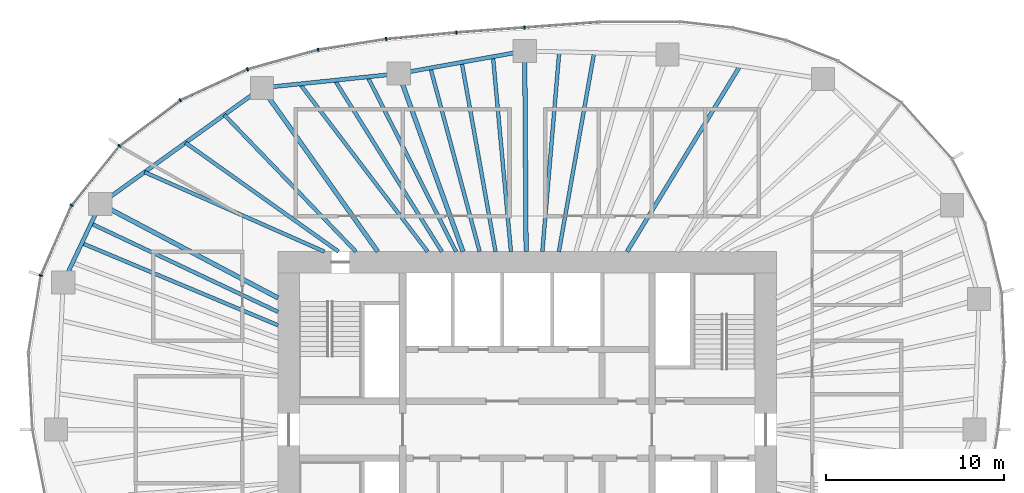
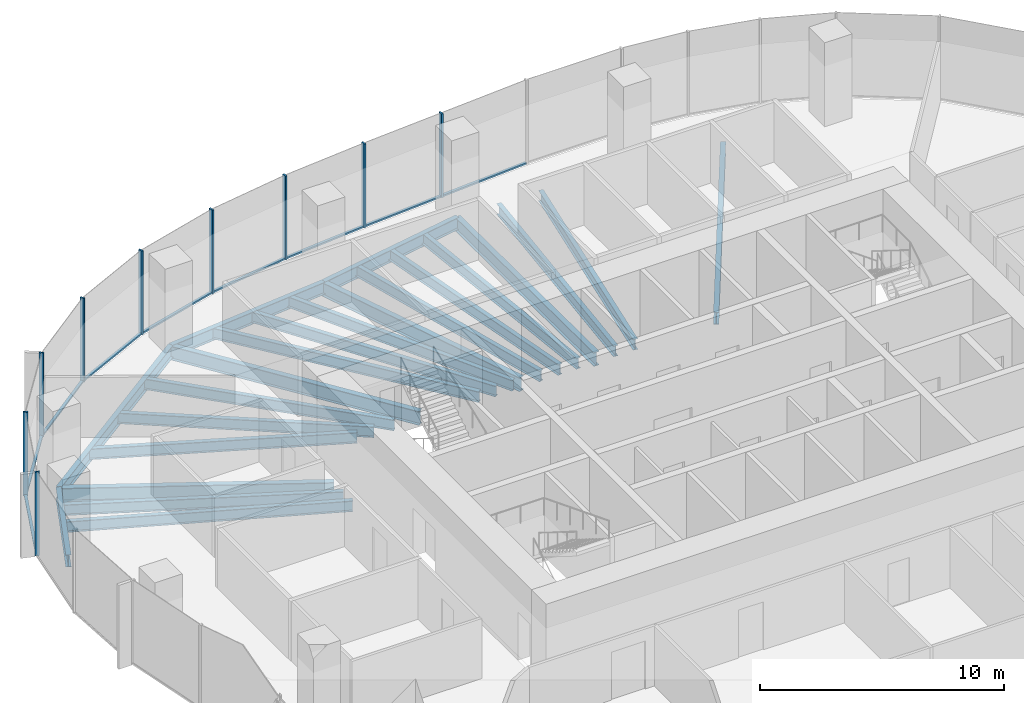
# One storey, part 5 of 11: 22 beams, 18 members, 6 elements without a shape of their own.
"""IFC4 building model written with IfcOpenShell, lengths in metres."""

from ifc_helpers import new_model, si_unit, direction, frame, origin, origin_2d, place, context, subcontext, project, spatial, rectangle, i_section, extrude, material, material_profile, profile_set, type_object, element, aggregate, save


model = new_model("IFC4")

# Units and contexts
model_context = context("Model", 3, precision=1e-05, world=origin(), true_north=direction((0.0, 1.0)))
body_context = subcontext(model_context, "Body", "Model", "MODEL_VIEW")
ifc_project = project(units=[si_unit("LENGTHUNIT", "METRE"), si_unit("AREAUNIT", "SQUARE_METRE"), si_unit("VOLUMEUNIT", "CUBIC_METRE"), si_unit("PLANEANGLEUNIT", "RADIAN"), si_unit("MASSUNIT", "GRAM", prefix="KILO")], contexts=[model_context])

# Site, building, storey
site_placement = place(None, origin())
site = spatial("IfcSite", under=ifc_project, at=site_placement, CompositionType="ELEMENT")
building_placement = place(site_placement, origin())
building = spatial("IfcBuilding", under=site, at=building_placement, Name="Ghaith Harvest Tower", CompositionType="ELEMENT")
storey_placement = place(building_placement, frame((0.0, 0.0, 211.60009765625)))
storey = spatial("IfcBuildingStorey", under=building, at=storey_placement, Name="L46", CompositionType="ELEMENT", Elevation=211.60009765625)

# Curtain wall, members
ifc_material_1 = material(Name="Black anodised aluminium and fritted glass", Category="aluminium")
curtain_wall_type = type_object("IfcCurtainWallType", Name="CW-H CURTAIN WALL", PredefinedType="NOTDEFINED", material=ifc_material_1)
curtain_wall_1_placement = place(storey_placement, origin())
curtain_wall_1 = element("IfcCurtainWall", 1, at=curtain_wall_1_placement, inside=storey, type_object=curtain_wall_type, Name="Curtain wall CW-H bay 06 L46", PredefinedType="NOTDEFINED")
ifc_material_2 = material(Name="Aluminium, black anodised", Category="aluminium")
ifc_material_profile_1 = material_profile(ifc_material_2, rectangle(XDim=0.080078125, YDim=0.199951171875, at=origin_2d()), Name="CW-H MULLION 80x200")
ifc_profile_set_1 = profile_set([ifc_material_profile_1], Name="Aluminium, black anodised")
member_type_1 = type_object("IfcMemberType", Name="CW-H MULLION 80x200", PredefinedType="MULLION", material=ifc_profile_set_1)
member_1_placement = place(storey_placement, frame((-0.154541015625, 22.590576171875, 0.0), z_axis=(0.0, 0.0, 1.0), x_axis=(-0.997329249665, -0.073036756239, 0.0)))
member_1 = element("IfcMember", 2, at=member_1_placement, type_object=member_type_1, Name="CW-H mullion 1 bay 06 L46", PredefinedType="MULLION", context=body_context, shape_type="SweptSolid", body=[
    extrude(rectangle(XDim=0.080078125, YDim=0.199951171875, at=origin_2d()), origin(), (0.0, 0.0, 1.0), 4.199951171875),
])
member_2_placement = place(storey_placement, frame((-3.984375, 22.310302734375, 0.0), z_axis=(0.0, 0.0, 1.0), x_axis=(-0.996522526822, -0.083323787336, 0.0)))
member_2 = element("IfcMember", 3, at=member_2_placement, type_object=member_type_1, Name="CW-H mullion 2 bay 06 L46", PredefinedType="MULLION", context=body_context, shape_type="SweptSolid", body=[
    extrude(rectangle(XDim=0.080078125, YDim=0.199951171875, at=origin_2d()), origin(), (0.0, 0.0, 1.0), 4.199951171875),
])

curtain_wall_2_placement = place(storey_placement, origin())
curtain_wall_2 = element("IfcCurtainWall", 4, at=curtain_wall_2_placement, inside=storey, type_object=curtain_wall_type, Name="Curtain wall CW-H bay 07 L46", PredefinedType="NOTDEFINED")
member_3_placement = place(storey_placement, frame((-7.924560546875, 21.94091796875, 0.0), z_axis=(0.0, 0.0, 1.0), x_axis=(-0.992235485325, -0.124373396119, 0.0)))
member_3 = element("IfcMember", 5, at=member_3_placement, type_object=member_type_1, Name="CW-H mullion 1 bay 07 L46", PredefinedType="MULLION", context=body_context, shape_type="SweptSolid", body=[
    extrude(rectangle(XDim=0.080078125, YDim=0.199951171875, at=origin_2d()), origin(), (0.0, 0.0, 1.0), 4.199951171875),
])
member_4_placement = place(storey_placement, frame((-11.75244140625, 21.336669921875, 0.0), z_axis=(0.0, 0.0, 1.0), x_axis=(-0.977086484172, -0.212842670646, 0.0)))
member_4 = element("IfcMember", 6, at=member_4_placement, type_object=member_type_1, Name="CW-H mullion 2 bay 07 L46", PredefinedType="MULLION", context=body_context, shape_type="SweptSolid", body=[
    extrude(rectangle(XDim=0.080078125, YDim=0.199951171875, at=origin_2d()), origin(), (0.0, 0.0, 1.0), 4.199951171875),
])

curtain_wall_3_placement = place(storey_placement, origin())
curtain_wall_3 = element("IfcCurtainWall", 7, at=curtain_wall_3_placement, inside=storey, type_object=curtain_wall_type, Name="Curtain wall CW-H bay 08 L46", PredefinedType="NOTDEFINED")
member_5_placement = place(storey_placement, frame((-15.720947265625, 20.242431640625, 0.0), z_axis=(0.0, 0.0, 1.0), x_axis=(-0.938930986476, -0.344105510906, 0.0)))
member_5 = element("IfcMember", 8, at=member_5_placement, type_object=member_type_1, Name="CW-H mullion 1 bay 08 L46", PredefinedType="MULLION", context=body_context, shape_type="SweptSolid", body=[
    extrude(rectangle(XDim=0.080078125, YDim=0.199951171875, at=origin_2d()), origin(), (0.0, 0.0, 1.0), 4.199951171875),
])
member_6_placement = place(storey_placement, frame((-19.4951171875, 18.4990234375, 0.0), z_axis=(0.0, 0.0, 1.0), x_axis=(-0.857998754004, -0.513651767376, 0.0)))
member_6 = element("IfcMember", 9, at=member_6_placement, type_object=member_type_1, Name="CW-H mullion 2 bay 08 L46", PredefinedType="MULLION", context=body_context, shape_type="SweptSolid", body=[
    extrude(rectangle(XDim=0.080078125, YDim=0.199951171875, at=origin_2d()), origin(), (0.0, 0.0, 1.0), 4.199951171875),
])

curtain_wall_4_placement = place(storey_placement, origin())
curtain_wall_4 = element("IfcCurtainWall", 10, at=curtain_wall_4_placement, inside=storey, type_object=curtain_wall_type, Name="Curtain wall CW-H bay 09 L46", PredefinedType="NOTDEFINED")
member_7_placement = place(storey_placement, frame((-22.908203125, 15.939697265625, 0.0), z_axis=(0.0, 0.0, 1.0), x_axis=(-0.719146135082, -0.694858860774, 0.0)))
member_7 = element("IfcMember", 11, at=member_7_placement, type_object=member_type_1, Name="CW-H mullion 1 bay 09 L46", PredefinedType="MULLION", context=body_context, shape_type="SweptSolid", body=[
    extrude(rectangle(XDim=0.080078125, YDim=0.199951171875, at=origin_2d()), origin(), (0.0, 0.0, 1.0), 4.199951171875),
])
member_8_placement = place(storey_placement, frame((-25.599609375, 12.6005859375, 0.0), z_axis=(0.0, 0.0, 1.0), x_axis=(-0.518769201232, -0.854914332464, 0.0)))
member_8 = element("IfcMember", 12, at=member_8_placement, type_object=member_type_1, Name="CW-H mullion 2 bay 09 L46", PredefinedType="MULLION", context=body_context, shape_type="SweptSolid", body=[
    extrude(rectangle(XDim=0.080078125, YDim=0.199951171875, at=origin_2d()), origin(), (0.0, 0.0, 1.0), 4.199951171875),
])

# Curtain wall, member
curtain_wall_5_placement = place(storey_placement, origin())
curtain_wall_5 = element("IfcCurtainWall", 13, at=curtain_wall_5_placement, inside=storey, type_object=curtain_wall_type, Name="Curtain wall CW-H bay 10 L46", PredefinedType="NOTDEFINED")
member_9_placement = place(storey_placement, frame((-27.32568359375, 8.659912109375, 0.0), z_axis=(0.0, 0.0, 1.0), x_axis=(-0.280520268431, -0.959848102045, 0.0)))
member_9 = element("IfcMember", 14, at=member_9_placement, type_object=member_type_1, Name="CW-H mullion 1 bay 10 L46", PredefinedType="MULLION", context=body_context, shape_type="SweptSolid", body=[
    extrude(rectangle(XDim=0.080078125, YDim=0.199951171875, at=origin_2d()), origin(), (0.0, 0.0, 1.0), 4.199951171875),
])
aggregate(curtain_wall_5, [member_9])

curtain_wall_6_placement = place(storey_placement, origin())
curtain_wall_6 = element("IfcCurtainWall", 15, at=curtain_wall_6_placement, inside=storey, type_object=curtain_wall_type, Name="Curtain wall CW-H bay 05 L46", PredefinedType="NOTDEFINED")
ifc_material_3 = material(Name="Aluminium, black anodised", Category="aluminium")
ifc_material_profile_2 = material_profile(ifc_material_3, rectangle(XDim=0.1298828125, YDim=0.080078125, at=origin_2d()), Name="CW-H TRANSOM 130x80")
ifc_profile_set_2 = profile_set([ifc_material_profile_2], Name="Aluminium, black anodised")
member_type_2 = type_object("IfcMemberType", Name="CW-H TRANSOM 130x80", PredefinedType="USERDEFINED", material=ifc_profile_set_2)
member_10_placement = place(storey_placement, frame((4.01953125, 22.896484375, 0.039794921875), z_axis=(-0.997325457985, -0.07308851384, 0.0), x_axis=(0.07308851384, -0.997325457985, 0.0)))
member_10 = element("IfcMember", 16, at=member_10_placement, type_object=member_type_2, Name="CW-H transom 2 bay 05 L46", ObjectType="TRANSOM", PredefinedType="USERDEFINED", context=body_context, shape_type="SweptSolid", body=[
    extrude(rectangle(XDim=0.1298828125, YDim=0.080078125, at=origin_2d()), origin(), (0.0, 0.0, 1.0), 4.145263671875),
])
aggregate(curtain_wall_6, [member_10])

# Member
member_11_placement = place(storey_placement, frame((-0.194580078125, 22.587646484375, 0.039794921875), z_axis=(-0.997332916649, -0.072986665689, 0.0), x_axis=(0.072986665689, -0.997332916649, 0.0)))
member_11 = element("IfcMember", 17, at=member_11_placement, type_object=member_type_2, Name="CW-H transom 1 bay 06 L46", ObjectType="TRANSOM", PredefinedType="USERDEFINED", context=body_context, shape_type="SweptSolid", body=[
    extrude(rectangle(XDim=0.1298828125, YDim=0.080078125, at=origin_2d()), origin(), (0.0, 0.0, 1.0), 3.759765625),
])

member_12_placement = place(storey_placement, frame((-4.024169921875, 22.306640625, 0.039794921875), z_axis=(-0.995631116984, -0.093373866217, 0.0), x_axis=(0.093373866217, -0.995631116984, 0.0)))
member_12 = element("IfcMember", 18, at=member_12_placement, type_object=member_type_2, Name="CW-H transom 2 bay 06 L46", ObjectType="TRANSOM", PredefinedType="USERDEFINED", context=body_context, shape_type="SweptSolid", body=[
    extrude(rectangle(XDim=0.1298828125, YDim=0.080078125, at=origin_2d()), origin(), (0.0, 0.0, 1.0), 3.87744140625),
])

aggregate(curtain_wall_1, [member_1, member_11, member_2, member_12])

member_13_placement = place(storey_placement, frame((-7.964111328125, 21.9345703125, 0.039794921875), z_axis=(-0.98776765914, -0.155932843097, 0.0), x_axis=(0.155932843097, -0.98776765914, 0.0)))
member_13 = element("IfcMember", 19, at=member_13_placement, type_object=member_type_2, Name="CW-H transom 1 bay 07 L46", ObjectType="TRANSOM", PredefinedType="USERDEFINED", context=body_context, shape_type="SweptSolid", body=[
    extrude(rectangle(XDim=0.1298828125, YDim=0.080078125, at=origin_2d()), origin(), (0.0, 0.0, 1.0), 3.795166015625),
])

member_14_placement = place(storey_placement, frame((-11.791015625, 21.325927734375, 0.039794921875), z_axis=(-0.964038584245, -0.265762315024, 0.0), x_axis=(0.265762315024, -0.964038584245, 0.0)))
member_14 = element("IfcMember", 20, at=member_14_placement, type_object=member_type_2, Name="CW-H transom 2 bay 07 L46", ObjectType="TRANSOM", PredefinedType="USERDEFINED", context=body_context, shape_type="SweptSolid", body=[
    extrude(rectangle(XDim=0.1298828125, YDim=0.080078125, at=origin_2d()), origin(), (0.0, 0.0, 1.0), 4.03662109375),
])

aggregate(curtain_wall_2, [member_3, member_13, member_4, member_14])

member_15_placement = place(storey_placement, frame((-15.75732421875, 20.2255859375, 0.039794921875), z_axis=(-0.907831404762, -0.419335355686, 0.0), x_axis=(0.419335355686, -0.907831404762, 0.0)))
member_15 = element("IfcMember", 21, at=member_15_placement, type_object=member_type_2, Name="CW-H transom 1 bay 08 L46", ObjectType="TRANSOM", PredefinedType="USERDEFINED", context=body_context, shape_type="SweptSolid", body=[
    extrude(rectangle(XDim=0.1298828125, YDim=0.080078125, at=origin_2d()), origin(), (0.0, 0.0, 1.0), 4.0771484375),
])

member_16_placement = place(storey_placement, frame((-19.527099609375, 18.47509765625, 0.039794921875), z_axis=(-0.800041988873, -0.599944010755, 0.0), x_axis=(0.599944010755, -0.800041988873, 0.0)))
member_16 = element("IfcMember", 22, at=member_16_placement, type_object=member_type_2, Name="CW-H transom 2 bay 08 L46", ObjectType="TRANSOM", PredefinedType="USERDEFINED", context=body_context, shape_type="SweptSolid", body=[
    extrude(rectangle(XDim=0.1298828125, YDim=0.080078125, at=origin_2d()), origin(), (0.0, 0.0, 1.0), 4.186279296875),
])

aggregate(curtain_wall_3, [member_5, member_15, member_6, member_16])

member_17_placement = place(storey_placement, frame((-22.933349609375, 15.90869140625, 0.039794921875), z_axis=(-0.6275347306, -0.778588570357, 0.0), x_axis=(0.778588570357, -0.6275347306, 0.0)))
member_17 = element("IfcMember", 23, at=member_17_placement, type_object=member_type_2, Name="CW-H transom 1 bay 09 L46", ObjectType="TRANSOM", PredefinedType="USERDEFINED", context=body_context, shape_type="SweptSolid", body=[
    extrude(rectangle(XDim=0.1298828125, YDim=0.080078125, at=origin_2d()), origin(), (0.0, 0.0, 1.0), 4.208740234375),
])

member_18_placement = place(storey_placement, frame((-25.61572265625, 12.56396484375, 0.039794921875), z_axis=(-0.401185844746, -0.915996680112, 0.0), x_axis=(0.915996680112, -0.401185844746, 0.0)))
member_18 = element("IfcMember", 24, at=member_18_placement, type_object=member_type_2, Name="CW-H transom 2 bay 09 L46", ObjectType="TRANSOM", PredefinedType="USERDEFINED", context=body_context, shape_type="SweptSolid", body=[
    extrude(rectangle(XDim=0.1298828125, YDim=0.080078125, at=origin_2d()), origin(), (0.0, 0.0, 1.0), 4.22216796875),
])

aggregate(curtain_wall_4, [member_7, member_17, member_8, member_18])

# Beams
ifc_material_4 = material(Name="Steel ASTM A992 Grade 50", Category="steel")
ifc_material_profile_3 = material_profile(ifc_material_4, i_section(OverallWidth=0.22900390625, OverallDepth=0.612060546875, WebThickness=0.011962890625, FlangeThickness=0.01953125, at=origin_2d()), Name="W610X125")
ifc_profile_set_3 = profile_set([ifc_material_profile_3], Name="Steel ASTM A992 Grade 50")
beam_type_1 = type_object("IfcBeamType", Name="E610-125 W610X125", PredefinedType="SPANDREL", material=ifc_profile_set_3)
beam_1_placement = place(storey_placement, frame((-0.14599609375, 21.27099609375, -0.47607421875), z_axis=(-0.984177047684, -0.177187863051, 0.0), x_axis=(0.177187863051, -0.984177047684, 0.0)))
element("IfcBeam", 25, at=beam_1_placement, inside=storey, type_object=beam_type_1, Name="Edge beam E06 L46", PredefinedType="SPANDREL", context=body_context, shape_type="SweptSolid", body=[
    extrude(i_section(OverallWidth=0.22900390625, OverallDepth=0.612060546875, WebThickness=0.011962890625, FlangeThickness=0.01953125, at=origin_2d()), origin(), (0.0, 0.0, 1.0), 7.189697265625),
])
beam_2_placement = place(storey_placement, frame((-7.221923828125, 19.9970703125, -0.47607421875), z_axis=(-0.994669141618, -0.103117887451, 0.0), x_axis=(0.103117887451, -0.994669141618, 0.0)))
element("IfcBeam", 26, at=beam_2_placement, inside=storey, type_object=beam_type_1, Name="Edge beam E07 L46", PredefinedType="SPANDREL", context=body_context, shape_type="SweptSolid", body=[
    extrude(i_section(OverallWidth=0.22900390625, OverallDepth=0.612060546875, WebThickness=0.011962890625, FlangeThickness=0.01953125, at=origin_2d()), origin(), (0.0, 0.0, 1.0), 7.730224609375),
])
beam_3_placement = place(storey_placement, frame((-14.910888671875, 19.199951171875, -0.47607421875), z_axis=(-0.812050311838, -0.583587432219, 0.0), x_axis=(0.583587432219, -0.812050311838, 0.0)))
element("IfcBeam", 27, at=beam_3_placement, inside=storey, type_object=beam_type_1, Name="Edge beam E08 L46", PredefinedType="SPANDREL", context=body_context, shape_type="SweptSolid", body=[
    extrude(i_section(OverallWidth=0.22900390625, OverallDepth=0.612060546875, WebThickness=0.011962890625, FlangeThickness=0.01953125, at=origin_2d()), origin(), (0.0, 0.0, 1.0), 11.175537109375),
])
beam_4_placement = place(storey_placement, frame((-23.986083984375, 12.677978515625, -0.47607421875), z_axis=(-0.426170247297, -0.904642979478, 0.0), x_axis=(0.904642979478, -0.426170247297, 0.0)))
element("IfcBeam", 28, at=beam_4_placement, inside=storey, type_object=beam_type_1, Name="Edge beam E09 L46", PredefinedType="SPANDREL", context=body_context, shape_type="SweptSolid", body=[
    extrude(i_section(OverallWidth=0.22900390625, OverallDepth=0.612060546875, WebThickness=0.011962890625, FlangeThickness=0.01953125, at=origin_2d()), origin(), (0.0, 0.0, 1.0), 4.882568359375),
])
ifc_material_5 = material(Name="Steel ASTM A992 Grade 50", Category="steel")
ifc_material_profile_4 = material_profile(ifc_material_5, i_section(OverallWidth=0.256103515625, OverallDepth=0.693115234375, WebThickness=0.014404296875, FlangeThickness=0.023681640625, at=origin_2d()), Name="W690X170")
ifc_profile_set_4 = profile_set([ifc_material_profile_4], Name="Steel ASTM A992 Grade 50")
beam_type_2 = type_object("IfcBeamType", Name="G690-170 W690X170", PredefinedType="BEAM", material=ifc_profile_set_4)
beam_5_placement = place(storey_placement, frame((-0.068359375, 10.0, -0.5166015625), z_axis=(-0.006888022705, 0.99997627729, 0.0), x_axis=(-0.99997627729, -0.006888022705, 0.0)))
element("IfcBeam", 29, at=beam_5_placement, inside=storey, type_object=beam_type_2, Name="Radial girder G06 L46", PredefinedType="BEAM", context=body_context, shape_type="SweptSolid", body=[
    extrude(i_section(OverallWidth=0.256103515625, OverallDepth=0.693115234375, WebThickness=0.014404296875, FlangeThickness=0.023681640625, at=origin_2d()), origin(), (0.0, 0.0, 1.0), 11.271240234375),
])
beam_6_placement = place(storey_placement, frame((-3.61181640625, 10.0, -0.5166015625), z_axis=(-0.339648979266, 0.940552269086, 0.0), x_axis=(-0.940552269086, -0.339648979266, 0.0)))
element("IfcBeam", 30, at=beam_6_placement, inside=storey, type_object=beam_type_2, Name="Radial girder G07 L46", PredefinedType="BEAM", context=body_context, shape_type="SweptSolid", body=[
    extrude(i_section(OverallWidth=0.256103515625, OverallDepth=0.693115234375, WebThickness=0.014404296875, FlangeThickness=0.023681640625, at=origin_2d()), origin(), (0.0, 0.0, 1.0), 10.62890625),
])
beam_7_placement = place(storey_placement, frame((-8.39990234375, 10.0, -0.5166015625), z_axis=(-0.577683734365, 0.816260683268, 0.0), x_axis=(-0.816260683268, -0.577683734365, 0.0)))
element("IfcBeam", 31, at=beam_7_placement, inside=storey, type_object=beam_type_2, Name="Radial girder G08 L46", PredefinedType="BEAM", context=body_context, shape_type="SweptSolid", body=[
    extrude(i_section(OverallWidth=0.256103515625, OverallDepth=0.693115234375, WebThickness=0.014404296875, FlangeThickness=0.023681640625, at=origin_2d()), origin(), (0.0, 0.0, 1.0), 11.270751953125),
])
beam_8_placement = place(storey_placement, frame((-14.0, 7.39990234375, -0.5166015625), z_axis=(-0.884105273337, 0.467287776062, 0.0), x_axis=(-0.467287776062, -0.884105273337, 0.0)))
element("IfcBeam", 32, at=beam_8_placement, inside=storey, type_object=beam_type_2, Name="Radial girder G09 L46", PredefinedType="BEAM", context=body_context, shape_type="SweptSolid", body=[
    extrude(i_section(OverallWidth=0.256103515625, OverallDepth=0.693115234375, WebThickness=0.014404296875, FlangeThickness=0.023681640625, at=origin_2d()), origin(), (0.0, 0.0, 1.0), 11.295166015625),
])
ifc_material_6 = material(Name="Steel ASTM A992 Grade 50", Category="steel")
ifc_material_profile_5 = material_profile(ifc_material_6, i_section(OverallWidth=0.2109375, OverallDepth=0.5390625, WebThickness=0.01171875, FlangeThickness=0.018798828125, at=origin_2d()), Name="W530X109")
ifc_profile_set_5 = profile_set([ifc_material_profile_5], Name="Steel ASTM A992 Grade 50")
beam_type_3 = type_object("IfcBeamType", Name="J530-109 W530X109", PredefinedType="JOIST", material=ifc_profile_set_5)
beam_9_placement = place(storey_placement, frame((1.772705078125, 10.0, -0.439697265625), z_axis=(0.17455599258, 0.984647249249, 0.0), x_axis=(-0.984647249249, 0.17455599258, 0.0)))
element("IfcBeam", 33, at=beam_9_placement, inside=storey, type_object=beam_type_3, Name="Joist J05.2 L46", PredefinedType="JOIST", context=body_context, shape_type="SweptSolid", body=[
    extrude(i_section(OverallWidth=0.2109375, OverallDepth=0.5390625, WebThickness=0.01171875, FlangeThickness=0.018798828125, at=origin_2d()), origin(), (0.0, 0.0, 1.0), 11.3486328125),
])
beam_10_placement = place(storey_placement, frame((0.844970703125, 10.0, -0.439697265625), z_axis=(0.084213263804, 0.996447753873, 0.0), x_axis=(-0.996447753873, 0.084213263804, 0.0)))
element("IfcBeam", 34, at=beam_10_placement, inside=storey, type_object=beam_type_3, Name="Joist J05.3 L46", PredefinedType="JOIST", context=body_context, shape_type="SweptSolid", body=[
    extrude(i_section(OverallWidth=0.2109375, OverallDepth=0.5390625, WebThickness=0.01171875, FlangeThickness=0.018798828125, at=origin_2d()), origin(), (0.0, 0.0, 1.0), 11.262939453125),
])
beam_11_placement = place(storey_placement, frame((-0.92041015625, 10.0, -0.439697265625), z_axis=(-0.091648687045, 0.995791402937, 0.0), x_axis=(-0.995791402937, -0.091648687045, 0.0)))
element("IfcBeam", 35, at=beam_11_placement, inside=storey, type_object=beam_type_3, Name="Joist J06.1 L46", PredefinedType="JOIST", context=body_context, shape_type="SweptSolid", body=[
    extrude(i_section(OverallWidth=0.2109375, OverallDepth=0.5390625, WebThickness=0.01171875, FlangeThickness=0.018798828125, at=origin_2d()), origin(), (0.0, 0.0, 1.0), 10.99658203125),
])
beam_12_placement = place(storey_placement, frame((-1.785888671875, 10.0, -0.439697265625), z_axis=(-0.175793767479, 0.984427016754, 0.0), x_axis=(-0.984427016754, -0.175793767479, 0.0)))
element("IfcBeam", 36, at=beam_12_placement, inside=storey, type_object=beam_type_3, Name="Joist J06.2 L46", PredefinedType="JOIST", context=body_context, shape_type="SweptSolid", body=[
    extrude(i_section(OverallWidth=0.2109375, OverallDepth=0.5390625, WebThickness=0.01171875, FlangeThickness=0.018798828125, at=origin_2d()), origin(), (0.0, 0.0, 1.0), 10.802001953125),
])
beam_13_placement = place(storey_placement, frame((-2.677978515625, 10.0, -0.439697265625), z_axis=(-0.258674007994, 0.965964677195, 0.0), x_axis=(-0.965964677195, -0.258674007994, 0.0)))
element("IfcBeam", 37, at=beam_13_placement, inside=storey, type_object=beam_type_3, Name="Joist J06.3 L46", PredefinedType="JOIST", context=body_context, shape_type="SweptSolid", body=[
    extrude(i_section(OverallWidth=0.2109375, OverallDepth=0.5390625, WebThickness=0.01171875, FlangeThickness=0.018798828125, at=origin_2d()), origin(), (0.0, 0.0, 1.0), 10.68115234375),
])
beam_14_placement = place(storey_placement, frame((-4.0, 10.0, -0.439697265625), z_axis=(-0.451646219201, 0.892197115374, 0.0), x_axis=(-0.892197115374, -0.451646219201, 0.0)))
element("IfcBeam", 38, at=beam_14_placement, inside=storey, type_object=beam_type_3, Name="Joist J07.1 L46", PredefinedType="JOIST", context=body_context, shape_type="SweptSolid", body=[
    extrude(i_section(OverallWidth=0.2109375, OverallDepth=0.5390625, WebThickness=0.01171875, FlangeThickness=0.018798828125, at=origin_2d()), origin(), (0.0, 0.0, 1.0), 11.001953125),
])
beam_15_placement = place(storey_placement, frame((-4.800048828125, 10.0, -0.439697265625), z_axis=(-0.529627564093, 0.848230300893, 0.0), x_axis=(-0.848230300893, -0.529627564093, 0.0)))
element("IfcBeam", 39, at=beam_15_placement, inside=storey, type_object=beam_type_3, Name="Joist J07.2 L46", PredefinedType="JOIST", context=body_context, shape_type="SweptSolid", body=[
    extrude(i_section(OverallWidth=0.2109375, OverallDepth=0.5390625, WebThickness=0.01171875, FlangeThickness=0.018798828125, at=origin_2d()), origin(), (0.0, 0.0, 1.0), 11.34716796875),
])
beam_16_placement = place(storey_placement, frame((-5.60009765625, 10.0, -0.439697265625), z_axis=(-0.605976135502, 0.795482823952, 0.0), x_axis=(-0.795482823952, -0.605976135502, 0.0)))
element("IfcBeam", 40, at=beam_16_placement, inside=storey, type_object=beam_type_3, Name="Joist J07.3 L46", PredefinedType="JOIST", context=body_context, shape_type="SweptSolid", body=[
    extrude(i_section(OverallWidth=0.2109375, OverallDepth=0.5390625, WebThickness=0.01171875, FlangeThickness=0.018798828125, at=origin_2d()), origin(), (0.0, 0.0, 1.0), 11.84326171875),
])
beam_17_placement = place(storey_placement, frame((-9.626708984375, 10.0, -0.439697265625), z_axis=(-0.69354049188, 0.720417647009, 0.0), x_axis=(-0.720417647009, -0.69354049188, 0.0)))
element("IfcBeam", 41, at=beam_17_placement, inside=storey, type_object=beam_type_3, Name="Joist J08.1 L46", PredefinedType="JOIST", context=body_context, shape_type="SweptSolid", body=[
    extrude(i_section(OverallWidth=0.2109375, OverallDepth=0.5390625, WebThickness=0.01171875, FlangeThickness=0.018798828125, at=origin_2d()), origin(), (0.0, 0.0, 1.0), 10.6640625),
])
beam_18_placement = place(storey_placement, frame((-10.60009765625, 10.0, -0.439697265625), z_axis=(-0.814837070547, 0.579690045164, 0.0), x_axis=(-0.579690045164, -0.814837070547, 0.0)))
element("IfcBeam", 42, at=beam_18_placement, inside=storey, type_object=beam_type_3, Name="Joist J08.2 L46", PredefinedType="JOIST", context=body_context, shape_type="SweptSolid", body=[
    extrude(i_section(OverallWidth=0.2109375, OverallDepth=0.5390625, WebThickness=0.01171875, FlangeThickness=0.018798828125, at=origin_2d()), origin(), (0.0, 0.0, 1.0), 10.5537109375),
])
beam_19_placement = place(storey_placement, frame((-11.39990234375, 10.0, -0.439697265625), z_axis=(-0.914561290029, 0.40444733499, 0.0), x_axis=(-0.40444733499, -0.914561290029, 0.0)))
element("IfcBeam", 43, at=beam_19_placement, inside=storey, type_object=beam_type_3, Name="Joist J08.3 L46", PredefinedType="JOIST", context=body_context, shape_type="SweptSolid", body=[
    extrude(i_section(OverallWidth=0.2109375, OverallDepth=0.5390625, WebThickness=0.01171875, FlangeThickness=0.018798828125, at=origin_2d()), origin(), (0.0, 0.0, 1.0), 11.041748046875),
])
beam_20_placement = place(storey_placement, frame((-14.0, 6.614990234375, -0.439697265625), z_axis=(-0.904154184779, 0.427206285238, 0.0), x_axis=(-0.427206285238, -0.904154184779, 0.0)))
element("IfcBeam", 44, at=beam_20_placement, inside=storey, type_object=beam_type_3, Name="Joist J09.1 L46", PredefinedType="JOIST", context=body_context, shape_type="SweptSolid", body=[
    extrude(i_section(OverallWidth=0.2109375, OverallDepth=0.5390625, WebThickness=0.01171875, FlangeThickness=0.018798828125, at=origin_2d()), origin(), (0.0, 0.0, 1.0), 11.61767578125),
])
beam_21_placement = place(storey_placement, frame((-14.0, 5.862548828125, -0.439697265625), z_axis=(-0.922380898158, 0.386281605455, 0.0), x_axis=(-0.386281605455, -0.922380898158, 0.0)))
element("IfcBeam", 45, at=beam_21_placement, inside=storey, type_object=beam_type_3, Name="Joist J09.2 L46", PredefinedType="JOIST", context=body_context, shape_type="SweptSolid", body=[
    extrude(i_section(OverallWidth=0.2109375, OverallDepth=0.5390625, WebThickness=0.01171875, FlangeThickness=0.018798828125, at=origin_2d()), origin(), (0.0, 0.0, 1.0), 11.94970703125),
])
ifc_material_7 = material(Name="Steel ASTM A992 Grade 50", Category="steel")
ifc_material_profile_6 = material_profile(ifc_material_7, i_section(OverallWidth=0.22900390625, OverallDepth=0.612060546875, WebThickness=0.011962890625, FlangeThickness=0.01953125, at=origin_2d()), Name="W610X125")
ifc_profile_set_6 = profile_set([ifc_material_profile_6], Name="Steel ASTM A992 Grade 50")
beam_type_4 = type_object("IfcBeamType", Name="J610-125 W610X125", PredefinedType="JOIST", material=ifc_profile_set_6)
beam_22_placement = place(storey_placement, frame((5.60009765625, 10.0, -0.47607421875), z_axis=(0.519863845761, 0.854249133374, 0.0), x_axis=(-0.854249133374, 0.519863845761, 0.0)))
element("IfcBeam", 46, at=beam_22_placement, inside=storey, type_object=beam_type_4, Name="Joist J04.2 L46", PredefinedType="JOIST", context=body_context, shape_type="SweptSolid", body=[
    extrude(i_section(OverallWidth=0.22900390625, OverallDepth=0.612060546875, WebThickness=0.011962890625, FlangeThickness=0.01953125, at=origin_2d()), origin(), (0.0, 0.0, 1.0), 12.209716796875),
])

save(model, "model.ifc")
